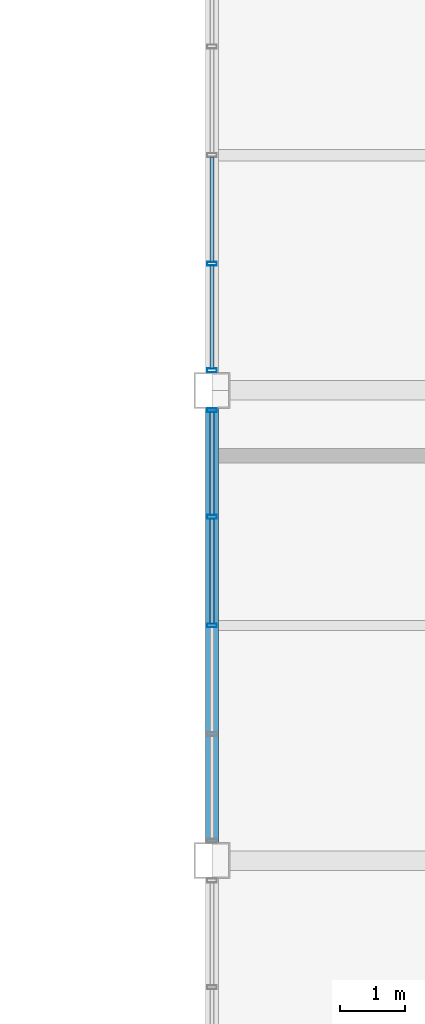
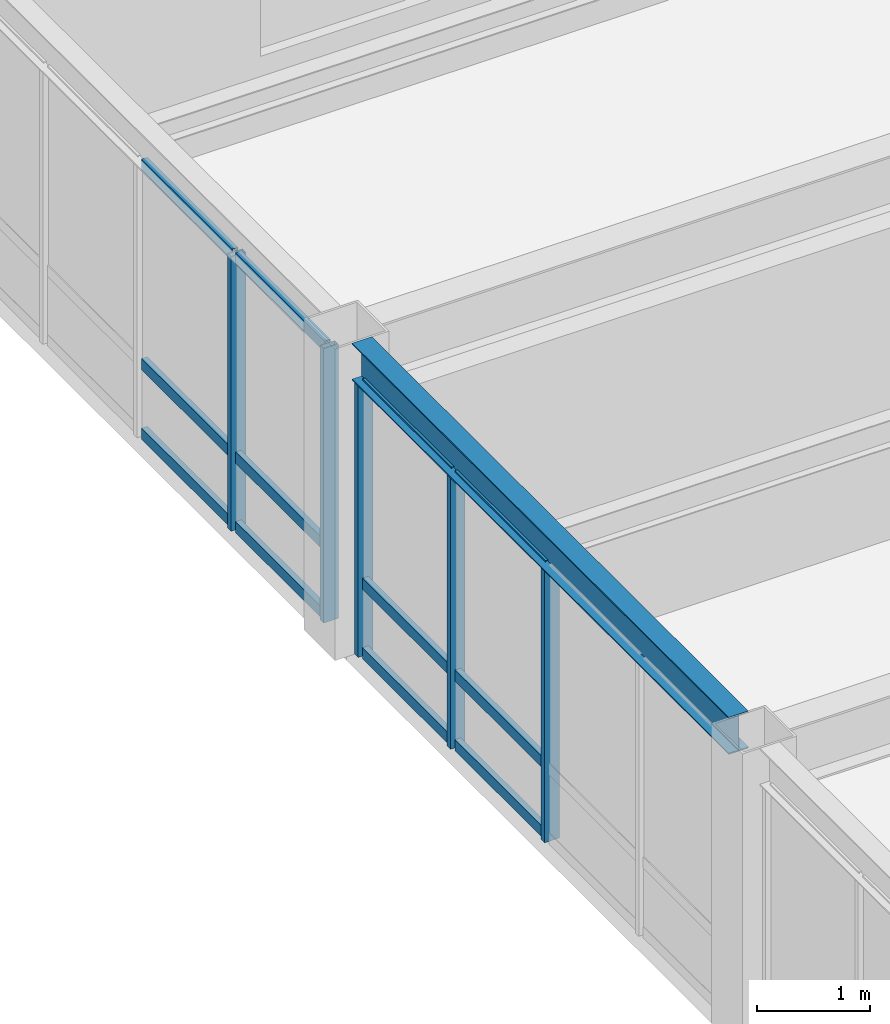
# One storey, part 23 of 43: 17 members, 1 beam, 2 elements without a shape of their own.
"""IFC4 building model written with IfcOpenShell, lengths in metres."""

from ifc_helpers import new_model, si_unit, direction, frame, origin, origin_2d, place, context, subcontext, project, spatial, hollow_rectangle, i_section, extrude, material, material_profile, profile_set, type_object, element, aggregate, save


model = new_model("IFC4")

# Units and contexts
model_context = context("Model", 3, precision=1e-05, world=origin(), true_north=direction((0.0, 1.0)))
body_context = subcontext(model_context, "Body", "Model", "MODEL_VIEW")
ifc_project = project(units=[si_unit("LENGTHUNIT", "METRE"), si_unit("AREAUNIT", "SQUARE_METRE"), si_unit("VOLUMEUNIT", "CUBIC_METRE"), si_unit("PLANEANGLEUNIT", "RADIAN"), si_unit("MASSUNIT", "GRAM", prefix="KILO")], contexts=[model_context])

# Site, building, storey
site_placement = place(None, origin())
site = spatial("IfcSite", under=ifc_project, at=site_placement, CompositionType="ELEMENT")
building_placement = place(site_placement, origin())
building = spatial("IfcBuilding", under=site, at=building_placement, Name="Kazanami Central Library", CompositionType="ELEMENT")
storey_placement = place(building_placement, frame((0.0, 0.0, 20.60009765625)))
storey = spatial("IfcBuildingStorey", under=building, at=storey_placement, Name="L06", CompositionType="ELEMENT", Elevation=20.60009765625)

# Beam
ifc_material_1 = material(Name="Steel SN490B (325 MPa)", Category="steel")
ifc_material_profile_1 = material_profile(ifc_material_1, i_section(OverallWidth=0.199951171875, OverallDepth=0.39990234375, WebThickness=0.008056640625, FlangeThickness=0.012939453125, at=origin_2d()), Name="H-400x200x8x13")
ifc_profile_set_1 = profile_set([ifc_material_profile_1], Name="Steel SN490B (325 MPa)")
beam_type = type_object("IfcBeamType", Name="BM-SP-3", PredefinedType="SPANDREL", material=ifc_profile_set_1)
beam_placement = place(storey_placement, frame((117.0, 79.472900390625, 3.159912109375), z_axis=(0.0, 1.0, 0.0), x_axis=(-1.0, 0.0, 0.0)))
element("IfcBeam", 1, at=beam_placement, inside=storey, type_object=beam_type, Name="Girder SP-3 L06 14/M-N", PredefinedType="SPANDREL", context=body_context, shape_type="SweptSolid", body=[
    extrude(i_section(OverallWidth=0.199951171875, OverallDepth=0.39990234375, WebThickness=0.008056640625, FlangeThickness=0.012939453125, at=origin_2d()), origin(), (0.0, 0.0, 1.0), 6.654052734375),
])

# Curtain wall, members
ifc_material_2 = material(Name="Acid-Etched Low-E Laminated Glass", Category="glass")
curtain_wall_type = type_object("IfcCurtainWallType", Name="CW-6650x2960-M180", PredefinedType="USERDEFINED", material=ifc_material_2)
curtain_wall_1_placement = place(storey_placement, origin())
curtain_wall_1 = element("IfcCurtainWall", 2, at=curtain_wall_1_placement, inside=storey, type_object=curtain_wall_type, Name="Covered Link Bridge Curtain Wall CW-59 L06 W-14-11", ObjectType="UNITISED CURTAIN WALL", PredefinedType="USERDEFINED")
ifc_material_3 = material(Name="Anodised Aluminium A6063-T5", Category="aluminium")
ifc_material_profile_2 = material_profile(ifc_material_3, hollow_rectangle(XDim=0.06005859375, YDim=0.14990234375, WallThickness=0.00390625, at=origin_2d()), Name="ALU-MULL-60x150x4")
ifc_profile_set_2 = profile_set([ifc_material_profile_2], Name="Anodised Aluminium A6063-T5")
member_type_1 = type_object("IfcMemberType", Name="MEM-CW-M3", PredefinedType="MULLION", material=ifc_profile_set_2)
member_1_placement = place(storey_placement, frame((117.0, 82.800048828125, 0.0), z_axis=(0.0, 0.0, 1.0), x_axis=(0.0, 1.0, 0.0)))
member_1 = element("IfcMember", 3, at=member_1_placement, type_object=member_type_1, Name="CW-59 mullion 3", PredefinedType="MULLION", context=body_context, shape_type="SweptSolid", body=[
    extrude(hollow_rectangle(XDim=0.06005859375, YDim=0.14990234375, WallThickness=0.00390625, at=origin_2d()), origin(), (0.0, 0.0, 1.0), 2.9599609375),
])
member_2_placement = place(storey_placement, frame((117.0, 84.46240234375, 0.0), z_axis=(0.0, 0.0, 1.0), x_axis=(0.0, 1.0, 0.0)))
member_2 = element("IfcMember", 4, at=member_2_placement, type_object=member_type_1, Name="CW-59 mullion 4", PredefinedType="MULLION", context=body_context, shape_type="SweptSolid", body=[
    extrude(hollow_rectangle(XDim=0.06005859375, YDim=0.14990234375, WallThickness=0.00390625, at=origin_2d()), origin(), (0.0, 0.0, 1.0), 2.9599609375),
])
member_3_placement = place(storey_placement, frame((117.0, 86.094970703125, 0.0), z_axis=(0.0, 0.0, 1.0), x_axis=(0.0, 1.0, 0.0)))
member_3 = element("IfcMember", 5, at=member_3_placement, type_object=member_type_1, Name="CW-59 mullion 5", PredefinedType="MULLION", context=body_context, shape_type="SweptSolid", body=[
    extrude(hollow_rectangle(XDim=0.06005859375, YDim=0.14990234375, WallThickness=0.00390625, at=origin_2d()), origin(), (0.0, 0.0, 1.0), 2.9599609375),
])

curtain_wall_2_placement = place(storey_placement, origin())
curtain_wall_2 = element("IfcCurtainWall", 6, at=curtain_wall_2_placement, inside=storey, type_object=curtain_wall_type, Name="Covered Link Bridge Curtain Wall CW-59 L06 W-14-12", ObjectType="UNITISED CURTAIN WALL", PredefinedType="USERDEFINED")
member_4_placement = place(storey_placement, frame((117.0, 86.705078125, 0.0), z_axis=(0.0, 0.0, 1.0), x_axis=(0.0, 1.0, 0.0)))
member_4 = element("IfcMember", 7, at=member_4_placement, type_object=member_type_1, Name="CW-59 mullion 1", PredefinedType="MULLION", context=body_context, shape_type="SweptSolid", body=[
    extrude(hollow_rectangle(XDim=0.06005859375, YDim=0.14990234375, WallThickness=0.00390625, at=origin_2d()), origin(), (0.0, 0.0, 1.0), 2.9599609375),
])
member_5_placement = place(storey_placement, frame((117.0, 88.33740234375, 0.0), z_axis=(0.0, 0.0, 1.0), x_axis=(0.0, 1.0, 0.0)))
member_5 = element("IfcMember", 8, at=member_5_placement, type_object=member_type_1, Name="CW-59 mullion 2", PredefinedType="MULLION", context=body_context, shape_type="SweptSolid", body=[
    extrude(hollow_rectangle(XDim=0.06005859375, YDim=0.14990234375, WallThickness=0.00390625, at=origin_2d()), origin(), (0.0, 0.0, 1.0), 2.9599609375),
])

# Member
ifc_material_profile_3 = material_profile(ifc_material_3, hollow_rectangle(XDim=0.06005859375, YDim=0.1201171875, WallThickness=0.00341796875, at=origin_2d()), Name="ALU-TRAN-60x120x3.5")
ifc_profile_set_3 = profile_set([ifc_material_profile_3], Name="Anodised Aluminium A6063-T5")
member_type_2 = type_object("IfcMemberType", Name="MEM-CW-T3", PredefinedType="USERDEFINED", material=ifc_profile_set_3)
member_6_placement = place(storey_placement, frame((117.0, 82.830078125, 0.02978515625), z_axis=(0.0, 1.0, 0.0), x_axis=(-1.0, 0.0, 0.0)))
member_6 = element("IfcMember", 9, at=member_6_placement, type_object=member_type_2, Name="CW-59 transom 3.1", ObjectType="TRANSOM", PredefinedType="USERDEFINED", context=body_context, shape_type="SweptSolid", body=[
    extrude(hollow_rectangle(XDim=0.06005859375, YDim=0.1201171875, WallThickness=0.00341796875, at=origin_2d()), origin(), (0.0, 0.0, 1.0), 1.6025390625),
])

member_7_placement = place(storey_placement, frame((117.0, 82.830078125, 0.77978515625), z_axis=(0.0, 1.0, 0.0), x_axis=(-1.0, 0.0, 0.0)))
member_7 = element("IfcMember", 10, at=member_7_placement, type_object=member_type_2, Name="CW-59 transom 3.2", ObjectType="TRANSOM", PredefinedType="USERDEFINED", context=body_context, shape_type="SweptSolid", body=[
    extrude(hollow_rectangle(XDim=0.06005859375, YDim=0.1201171875, WallThickness=0.00341796875, at=origin_2d()), origin(), (0.0, 0.0, 1.0), 1.6025390625),
])

member_8_placement = place(storey_placement, frame((117.0, 82.830078125, 2.929931640625), z_axis=(0.0, 1.0, 0.0), x_axis=(-1.0, 0.0, 0.0)))
member_8 = element("IfcMember", 11, at=member_8_placement, type_object=member_type_2, Name="CW-59 transom 3.3", ObjectType="TRANSOM", PredefinedType="USERDEFINED", context=body_context, shape_type="SweptSolid", body=[
    extrude(hollow_rectangle(XDim=0.06005859375, YDim=0.1201171875, WallThickness=0.00341796875, at=origin_2d()), origin(), (0.0, 0.0, 1.0), 1.6025390625),
])

member_9_placement = place(storey_placement, frame((117.0, 84.492431640625, 0.02978515625), z_axis=(0.0, 1.0, 0.0), x_axis=(-1.0, 0.0, 0.0)))
member_9 = element("IfcMember", 12, at=member_9_placement, type_object=member_type_2, Name="CW-59 transom 4.1", ObjectType="TRANSOM", PredefinedType="USERDEFINED", context=body_context, shape_type="SweptSolid", body=[
    extrude(hollow_rectangle(XDim=0.06005859375, YDim=0.1201171875, WallThickness=0.00341796875, at=origin_2d()), origin(), (0.0, 0.0, 1.0), 1.572509765625),
])

member_10_placement = place(storey_placement, frame((117.0, 84.492431640625, 0.77978515625), z_axis=(0.0, 1.0, 0.0), x_axis=(-1.0, 0.0, 0.0)))
member_10 = element("IfcMember", 13, at=member_10_placement, type_object=member_type_2, Name="CW-59 transom 4.2", ObjectType="TRANSOM", PredefinedType="USERDEFINED", context=body_context, shape_type="SweptSolid", body=[
    extrude(hollow_rectangle(XDim=0.06005859375, YDim=0.1201171875, WallThickness=0.00341796875, at=origin_2d()), origin(), (0.0, 0.0, 1.0), 1.572509765625),
])

member_11_placement = place(storey_placement, frame((117.0, 84.492431640625, 2.929931640625), z_axis=(0.0, 1.0, 0.0), x_axis=(-1.0, 0.0, 0.0)))
member_11 = element("IfcMember", 14, at=member_11_placement, type_object=member_type_2, Name="CW-59 transom 4.3", ObjectType="TRANSOM", PredefinedType="USERDEFINED", context=body_context, shape_type="SweptSolid", body=[
    extrude(hollow_rectangle(XDim=0.06005859375, YDim=0.1201171875, WallThickness=0.00341796875, at=origin_2d()), origin(), (0.0, 0.0, 1.0), 1.572509765625),
])

aggregate(curtain_wall_1, [member_1, member_2, member_3, member_6, member_7, member_8, member_9, member_10, member_11])

member_12_placement = place(storey_placement, frame((117.0, 86.735107421875, 0.02978515625), z_axis=(0.0, 1.0, 0.0), x_axis=(-1.0, 0.0, 0.0)))
member_12 = element("IfcMember", 15, at=member_12_placement, type_object=member_type_2, Name="CW-59 transom 1.1", ObjectType="TRANSOM", PredefinedType="USERDEFINED", context=body_context, shape_type="SweptSolid", body=[
    extrude(hollow_rectangle(XDim=0.06005859375, YDim=0.1201171875, WallThickness=0.00341796875, at=origin_2d()), origin(), (0.0, 0.0, 1.0), 1.572509765625),
])

member_13_placement = place(storey_placement, frame((117.0, 86.735107421875, 0.77978515625), z_axis=(0.0, 1.0, 0.0), x_axis=(-1.0, 0.0, 0.0)))
member_13 = element("IfcMember", 16, at=member_13_placement, type_object=member_type_2, Name="CW-59 transom 1.2", ObjectType="TRANSOM", PredefinedType="USERDEFINED", context=body_context, shape_type="SweptSolid", body=[
    extrude(hollow_rectangle(XDim=0.06005859375, YDim=0.1201171875, WallThickness=0.00341796875, at=origin_2d()), origin(), (0.0, 0.0, 1.0), 1.572509765625),
])

member_14_placement = place(storey_placement, frame((117.0, 86.735107421875, 2.929931640625), z_axis=(0.0, 1.0, 0.0), x_axis=(-1.0, 0.0, 0.0)))
member_14 = element("IfcMember", 17, at=member_14_placement, type_object=member_type_2, Name="CW-59 transom 1.3", ObjectType="TRANSOM", PredefinedType="USERDEFINED", context=body_context, shape_type="SweptSolid", body=[
    extrude(hollow_rectangle(XDim=0.06005859375, YDim=0.1201171875, WallThickness=0.00341796875, at=origin_2d()), origin(), (0.0, 0.0, 1.0), 1.572509765625),
])

member_15_placement = place(storey_placement, frame((117.0, 88.367431640625, 0.02978515625), z_axis=(0.0, 1.0, 0.0), x_axis=(-1.0, 0.0, 0.0)))
member_15 = element("IfcMember", 18, at=member_15_placement, type_object=member_type_2, Name="CW-59 transom 2.1", ObjectType="TRANSOM", PredefinedType="USERDEFINED", context=body_context, shape_type="SweptSolid", body=[
    extrude(hollow_rectangle(XDim=0.06005859375, YDim=0.1201171875, WallThickness=0.00341796875, at=origin_2d()), origin(), (0.0, 0.0, 1.0), 1.6025390625),
])

member_16_placement = place(storey_placement, frame((117.0, 88.367431640625, 0.77978515625), z_axis=(0.0, 1.0, 0.0), x_axis=(-1.0, 0.0, 0.0)))
member_16 = element("IfcMember", 19, at=member_16_placement, type_object=member_type_2, Name="CW-59 transom 2.2", ObjectType="TRANSOM", PredefinedType="USERDEFINED", context=body_context, shape_type="SweptSolid", body=[
    extrude(hollow_rectangle(XDim=0.06005859375, YDim=0.1201171875, WallThickness=0.00341796875, at=origin_2d()), origin(), (0.0, 0.0, 1.0), 1.6025390625),
])

member_17_placement = place(storey_placement, frame((117.0, 88.367431640625, 2.929931640625), z_axis=(0.0, 1.0, 0.0), x_axis=(-1.0, 0.0, 0.0)))
member_17 = element("IfcMember", 20, at=member_17_placement, type_object=member_type_2, Name="CW-59 transom 2.3", ObjectType="TRANSOM", PredefinedType="USERDEFINED", context=body_context, shape_type="SweptSolid", body=[
    extrude(hollow_rectangle(XDim=0.06005859375, YDim=0.1201171875, WallThickness=0.00341796875, at=origin_2d()), origin(), (0.0, 0.0, 1.0), 1.6025390625),
])

aggregate(curtain_wall_2, [member_4, member_5, member_12, member_13, member_14, member_15, member_16, member_17])

save(model, "model.ifc")
